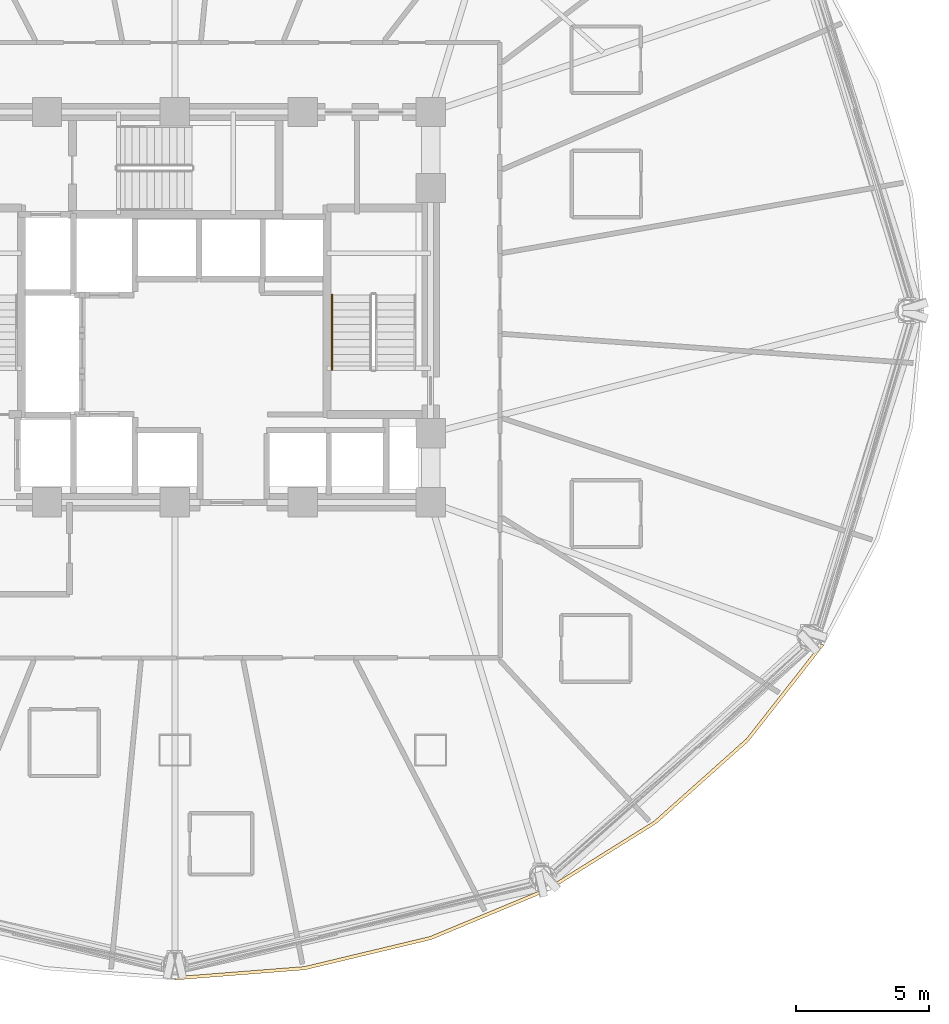
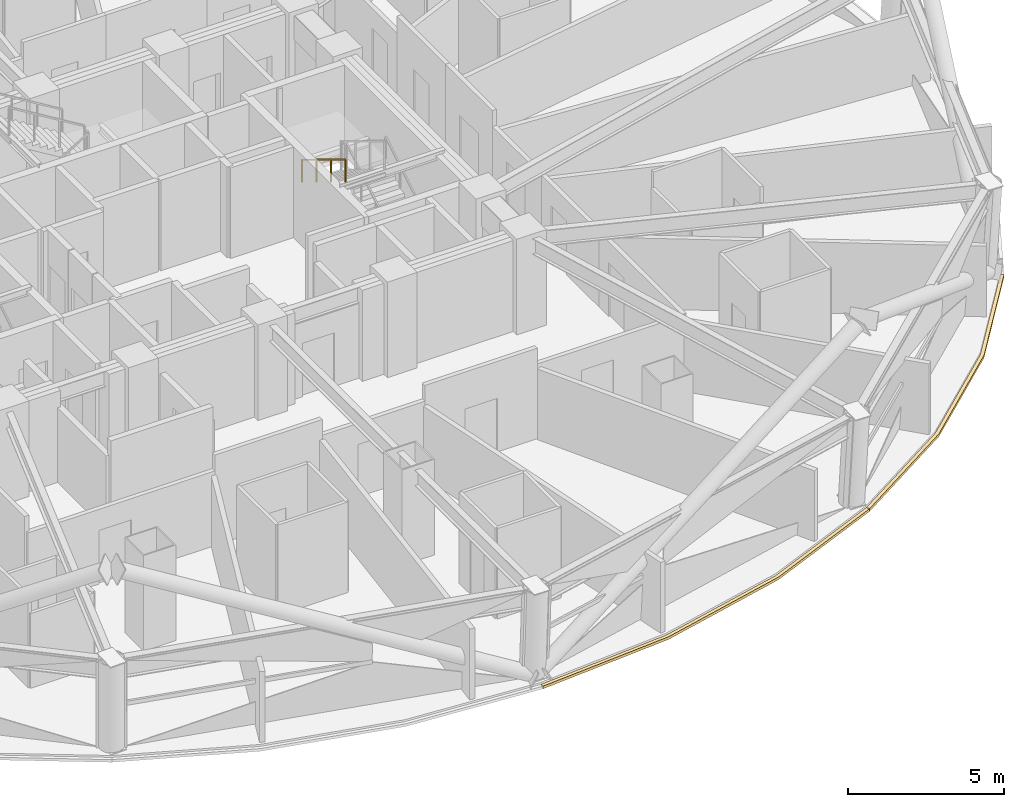
# One storey, part 14 of 16: 2 coverings, 1 railing.
"""IFC4 building model written with IfcOpenShell, lengths in metres."""

from ifc_helpers import new_model, si_unit, direction, frame, origin, origin_2d, place, context, subcontext, project, spatial, polyline, rectangle, outline, extrude, material, layer, layer_set, type_object, element, save


model = new_model("IFC4")

# Units and contexts
model_context = context("Model", 3, precision=1e-05, world=origin(), true_north=direction((0.0, 1.0)))
body_context = subcontext(model_context, "Body", "Model", "MODEL_VIEW")
ifc_project = project(units=[si_unit("LENGTHUNIT", "METRE"), si_unit("AREAUNIT", "SQUARE_METRE"), si_unit("VOLUMEUNIT", "CUBIC_METRE"), si_unit("PLANEANGLEUNIT", "RADIAN"), si_unit("MASSUNIT", "GRAM", prefix="KILO")], contexts=[model_context])

# Site, building, storey
site_placement = place(None, origin())
site = spatial("IfcSite", under=ifc_project, at=site_placement, CompositionType="ELEMENT")
building_placement = place(site_placement, origin())
building = spatial("IfcBuilding", under=site, at=building_placement, Name="Vantalir Tower", CompositionType="ELEMENT")
storey_placement = place(building_placement, frame((0.0, 0.0, 64.5)))
storey = spatial("IfcBuildingStorey", under=building, at=storey_placement, Name="L15", CompositionType="ELEMENT", Elevation=64.5)

# Coverings
ifc_material_1 = material(Name="Anodised champagne aluminium sill fascia", Category="aluminium")
ifc_layer = layer(ifc_material_1, 0.125)
ifc_layer_set = layer_set([ifc_layer], Name="Anodised champagne aluminium sill fascia")
covering_type = type_object("IfcCoveringType", Name="COV-SLAB-FASCIA-125", PredefinedType="CLADDING", material=ifc_layer_set)
covering_1_placement = place(storey_placement, frame((0.0, 0.0, -0.179931640625)))
element("IfcCovering", 1, at=covering_1_placement, inside=storey, type_object=covering_type, Name="L15 Perimeter Slab-Edge Sill Fascia 10", PredefinedType="CLADDING", context=body_context, shape_type="SweptSolid", body=[
    extrude(outline(polyline([(31.5, -0.1259765625), (36.384033203125, 0.256103515625), (41.1201171875, 1.388916015625), (45.56298828125, 3.239990234375), (45.5009765625, 3.347900390625), (41.076904296875, 1.507080078125), (36.362060546875, 0.37890625), (31.5, -0.0009765625), (31.5, -0.1259765625)])), origin(), (0.0, 0.0, 1.0), 0.10498046875),
])
covering_2_placement = place(storey_placement, frame((0.0, 0.0, -0.179931640625)))
element("IfcCovering", 2, at=covering_2_placement, inside=storey, type_object=covering_type, Name="L15 Perimeter Slab-Edge Sill Fascia 11", PredefinedType="CLADDING", context=body_context, shape_type="SweptSolid", body=[
    extrude(outline(polyline([(45.56298828125, 3.239990234375), (49.5791015625, 5.751953125), (53.0458984375, 8.84912109375), (55.85791015625, 12.43701171875), (55.75, 12.4990234375), (52.949951171875, 8.929931640625), (49.4990234375, 5.847900390625), (45.5009765625, 3.347900390625), (45.56298828125, 3.239990234375)])), origin(), (0.0, 0.0, 1.0), 0.10498046875),
])

# Railing
ifc_material_2 = material(Name="Brushed stainless steel tubular handrail", Category="steel")
railing_type = type_object("IfcRailingType", Name="RAL-HANDRAIL-900", PredefinedType="HANDRAIL", material=ifc_material_2)
railing_placement = place(storey_placement, frame((37.39990234375, 25.590087890625, 2.04541015625)))
element("IfcRailing", 3, at=railing_placement, inside=storey, type_object=railing_type, Name="L15 ST2 stair handrail 2", PredefinedType="HANDRAIL", context=body_context, shape_type="SweptSolid", body=[
    extrude(rectangle(XDim=0.048095703125, YDim=0.048095703125, at=origin_2d()), frame((0.0, 0.0, 0.8759765625), z_axis=(0.0, -0.854169791009, 0.51999420009), x_axis=(1.0, 0.0, 0.0)), (0.0, 0.0, 1.0), 3.278076171875),
    extrude(rectangle(XDim=0.0419921875, YDim=0.0419921875, at=origin_2d()), origin(), (0.0, 0.0, 1.0), 0.851806640625),
    extrude(rectangle(XDim=0.0419921875, YDim=0.0419921875, at=origin_2d()), frame((0.0, -0.933349609375, 0.568115234375)), (0.0, 0.0, 1.0), 0.851806640625),
    extrude(rectangle(XDim=0.0419921875, YDim=0.0419921875, at=origin_2d()), frame((0.0, -1.86669921875, 1.136474609375)), (0.0, 0.0, 1.0), 0.851806640625),
    extrude(rectangle(XDim=0.0419921875, YDim=0.0419921875, at=origin_2d()), frame((0.0, -2.800048828125, 1.70458984375)), (0.0, 0.0, 1.0), 0.851806640625),
])

save(model, "model.ifc")
